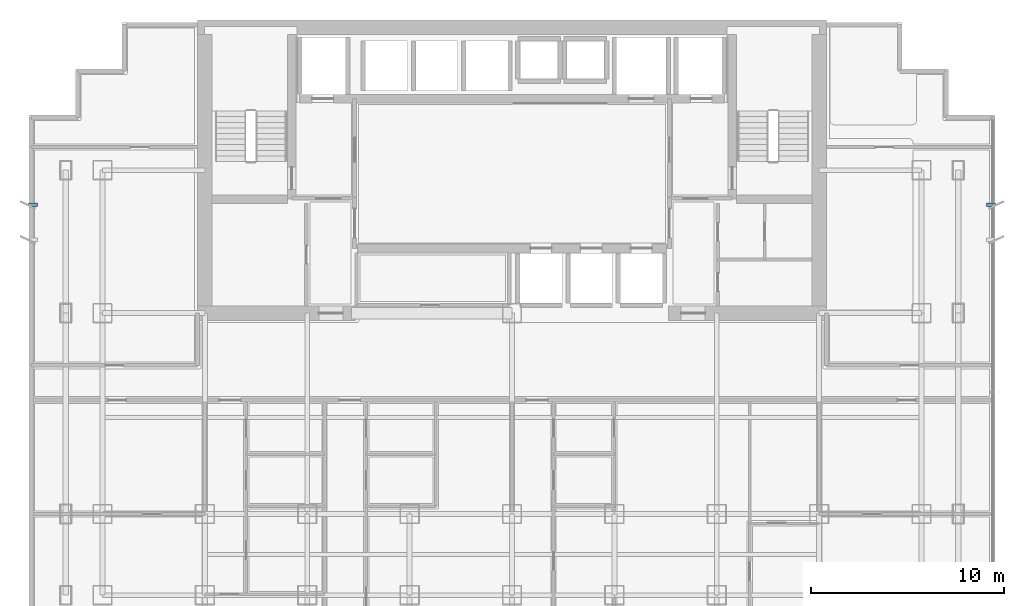
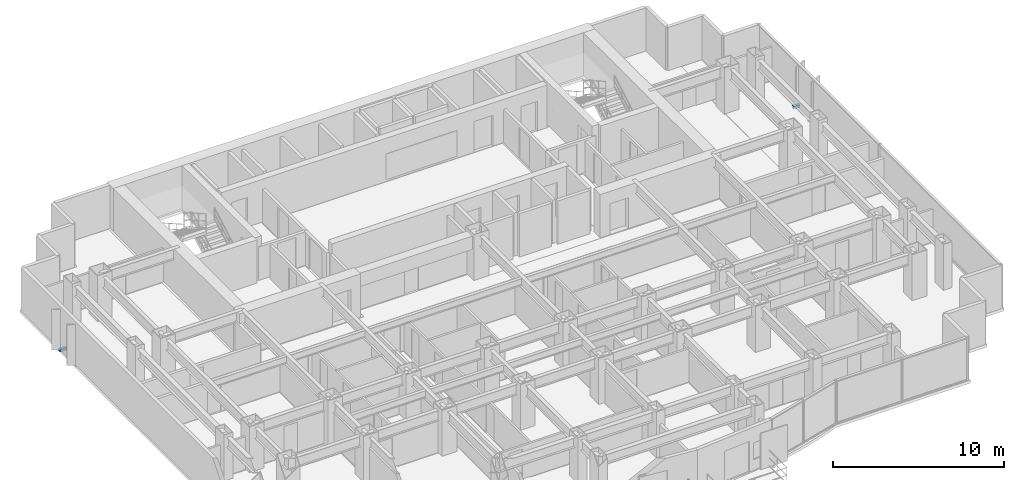
# One storey, part 10 of 12: 2 discrete accessories.
"""IFC4 building model written with IfcOpenShell, lengths in metres."""

from ifc_helpers import new_model, si_unit, direction, frame, origin, origin_2d, place, context, subcontext, project, spatial, rectangle, extrude, source, transform, mapped, material, type_object, element, save


model = new_model("IFC4")

# Units and contexts
model_context = context("Model", 3, precision=1e-05, world=origin(), true_north=direction((0.0, 1.0)))
body_context = subcontext(model_context, "Body", "Model", "MODEL_VIEW")
ifc_project = project(units=[si_unit("LENGTHUNIT", "METRE"), si_unit("AREAUNIT", "SQUARE_METRE"), si_unit("VOLUMEUNIT", "CUBIC_METRE"), si_unit("PLANEANGLEUNIT", "RADIAN"), si_unit("MASSUNIT", "GRAM", prefix="KILO")], contexts=[model_context])

# Site, building, storey
site_placement = place(None, origin())
site = spatial("IfcSite", under=ifc_project, at=site_placement, CompositionType="ELEMENT")
building_placement = place(site_placement, origin())
building = spatial("IfcBuilding", under=site, at=building_placement, Name="Qianlan Lanfeng Residences", CompositionType="ELEMENT")
storey_placement = place(building_placement, frame((0.0, 0.0, 85.0)))
storey = spatial("IfcBuildingStorey", under=building, at=storey_placement, Name="L22", CompositionType="ELEMENT", Elevation=85.0)

# Discrete accessories
ifc_material = material(Name="Stainless Steel Facade Bracket", Category="steel")
discrete_accessory_type = type_object("IfcDiscreteAccessoryType", Name="BRK-SS-350", PredefinedType="BRACKET", material=ifc_material)
shared_shape = source(origin(), body_context, "Body", "SweptSolid", [
    extrude(rectangle(XDim=0.449951171875, YDim=0.179931640625, at=origin_2d()), origin(), (0.0, 0.0, 1.0), 0.179931640625),
])
for number, where, z_axis, x_axis, name in (
    (1, (1.699951171875, 30.800048828125, -0.14990234375), (0.0, 0.0, 1.0), (1.0, 0.0, 0.0), "L22 Raked Solar Fin Support Bracket W2"),
    (2, (51.300048828125, 30.800048828125, -0.14990234375), (0.0, 0.0, 1.0), (1.0, 0.0, 0.0), "L22 Raked Solar Fin Support Bracket E2"),
):
    element("IfcDiscreteAccessory", number, at=place(storey_placement, frame(where, z_axis=z_axis, x_axis=x_axis)), inside=storey, type_object=discrete_accessory_type, Name=name, PredefinedType="BRACKET", context=body_context, shape_type="MappedRepresentation", body=[
        mapped(shared_shape, transform((0.0, 0.0, 0.0), scale=1.0)),
    ])

save(model, "model.ifc")
